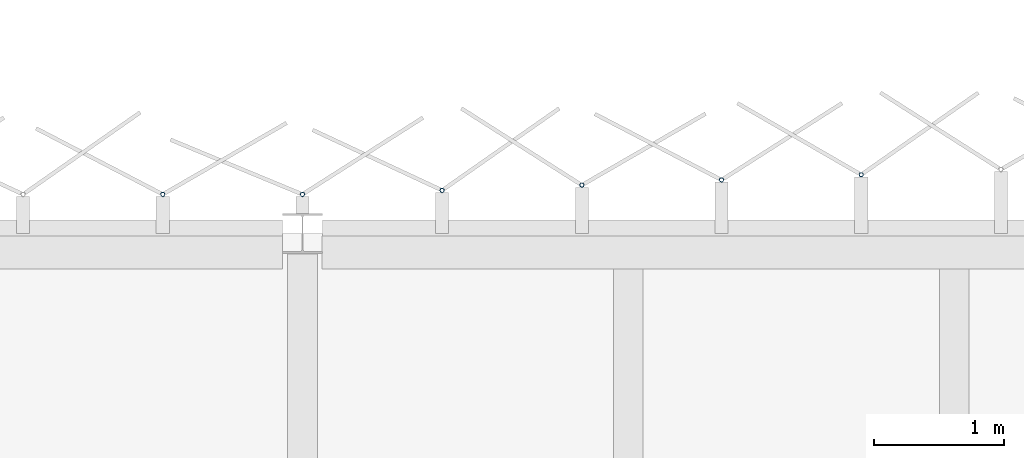
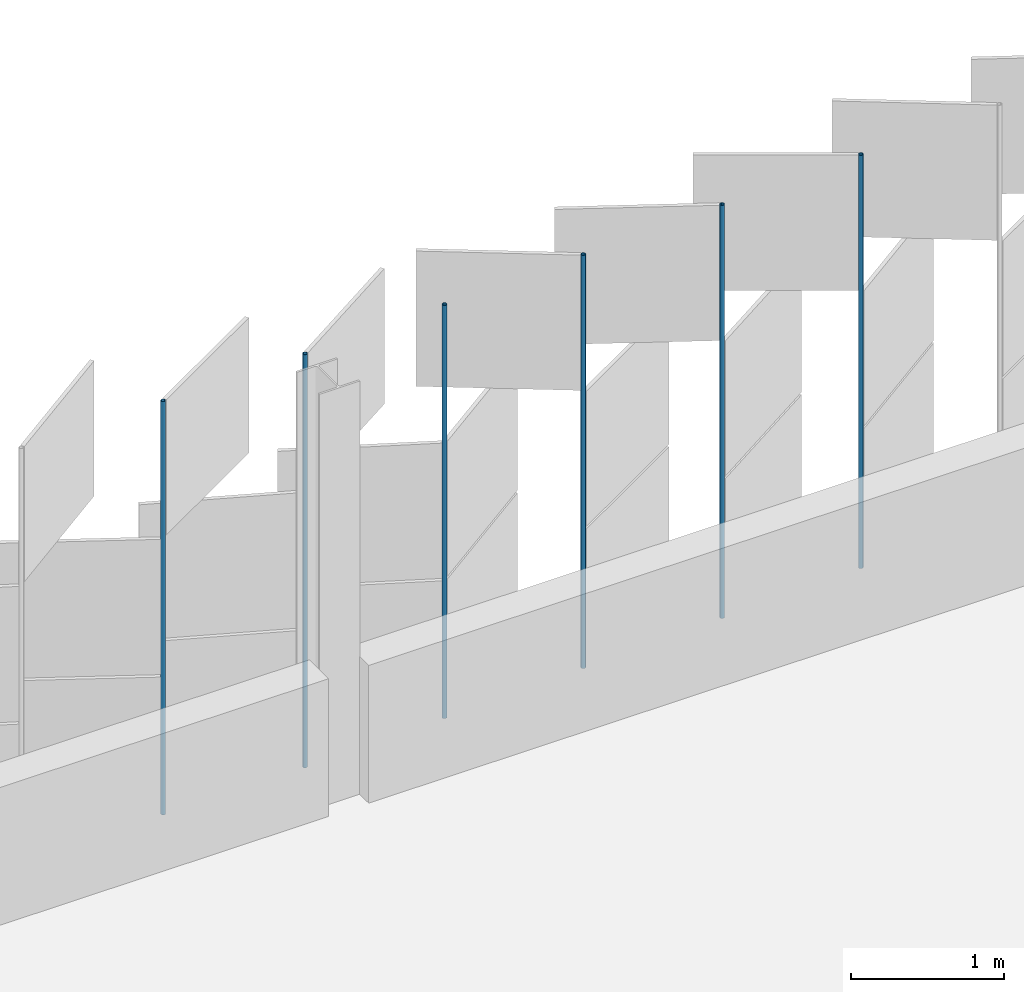
# One storey, part 154 of 198: 6 discrete accessories.
"""IFC4 building model written with IfcOpenShell, lengths in metres."""

from ifc_helpers import new_model, si_unit, direction, frame, origin, origin_2d, place, context, subcontext, project, spatial, hollow_circle, extrude, material, material_profile, profile_set, type_object, element, save


model = new_model("IFC4")

# Units and contexts
model_context = context("Model", 3, precision=1e-05, world=origin(), true_north=direction((0.0, 1.0)))
body_context = subcontext(model_context, "Body", "Model", "MODEL_VIEW")
ifc_project = project(units=[si_unit("LENGTHUNIT", "METRE"), si_unit("AREAUNIT", "SQUARE_METRE"), si_unit("VOLUMEUNIT", "CUBIC_METRE"), si_unit("PLANEANGLEUNIT", "RADIAN"), si_unit("MASSUNIT", "GRAM", prefix="KILO")], contexts=[model_context])

# Site, building, storey
site_placement = place(None, origin())
site = spatial("IfcSite", under=ifc_project, at=site_placement, CompositionType="ELEMENT")
building_placement = place(site_placement, origin())
building = spatial("IfcBuilding", under=site, at=building_placement, Name="Parallax Yard Mobility Hub", CompositionType="ELEMENT")
storey_placement = place(building_placement, frame((0.0, 0.0, 6.60009765625)))
storey = spatial("IfcBuildingStorey", under=building, at=storey_placement, Name="L02", CompositionType="ELEMENT", Elevation=6.60009765625)

# Discrete accessories
ifc_material = material(Name="Steel ASTM A500 Gr C, hot-dip galvanised", Category="steel")
ifc_material_profile = material_profile(ifc_material, hollow_circle(Radius=0.016845703125, WallThickness=0.003173828125, at=origin_2d()), Name="CHS 33.7x3.2")
ifc_profile_set = profile_set([ifc_material_profile], Name="Steel ASTM A500 Gr C, hot-dip galvanised")
discrete_accessory_type = type_object("IfcDiscreteAccessoryType", Name="Hinge post CHS 33.7x3.2", PredefinedType="BRACKET", material=ifc_profile_set)
for number, where, z_axis, x_axis, name in (
    (1, (161.786376953125, 142.950927734375, 0.0), (0.0, 0.0, 1.0), (1.0, 0.0, 0.0), "Hinge post bay 52.4 level L02"),
    (2, (160.71484375, 142.910888671875, 0.0), (0.0, 0.0, 1.0), (1.0, 0.0, 0.0), "Hinge post bay 52.5 level L02"),
    (3, (159.643310546875, 142.870849609375, 0.0), (0.0, 0.0, 1.0), (1.0, 0.0, 0.0), "Hinge post bay 52.6 level L02"),
    (4, (158.571533203125, 142.830810546875, 0.0), (0.0, 0.0, 1.0), (1.0, 0.0, 0.0), "Hinge post bay 52.7 level L02"),
    (5, (157.5, 142.800048828125, 0.0), (0.0, 0.0, 1.0), (1.0, 0.0, 0.0), "Hinge post bay 53.1 level L02"),
    (6, (156.428466796875, 142.800048828125, 0.0), (0.0, 0.0, 1.0), (1.0, 0.0, 0.0), "Hinge post bay 53.2 level L02"),
):
    element("IfcDiscreteAccessory", number, at=place(storey_placement, frame(where, z_axis=z_axis, x_axis=x_axis)), inside=storey, type_object=discrete_accessory_type, Name=name, PredefinedType="BRACKET", context=body_context, shape_type="SweptSolid", body=[
        extrude(hollow_circle(Radius=0.016845703125, WallThickness=0.003173828125, at=origin_2d()), origin(), (0.0, 0.0, 1.0), 3.2998046875),
    ])

save(model, "model.ifc")
